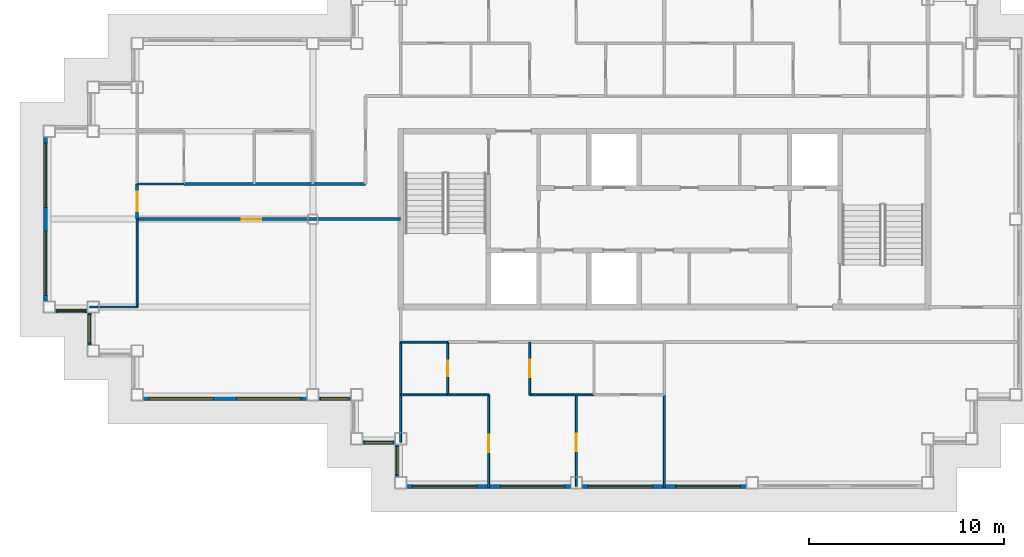
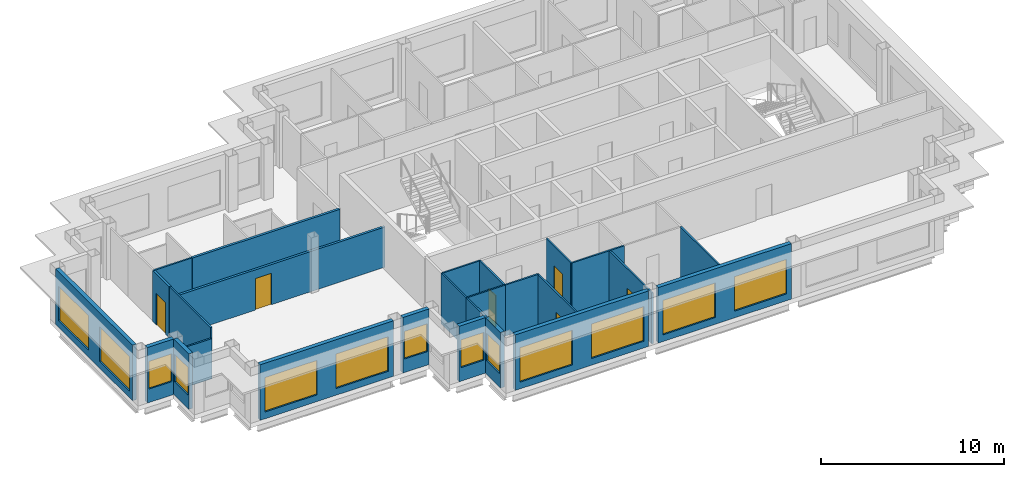
# One storey, part 2 of 12: 26 walls, 13 windows, 6 doors, 19 openings.
"""IFC4 building model written with IfcOpenShell, lengths in metres."""

from ifc_helpers import new_model, si_unit, direction, frame, frame_2d, origin, place, context, subcontext, project, spatial, rectangle, extrude, material, layer, layer_set, type_object, element, fill, save


model = new_model("IFC4")

# Units and contexts
model_context = context("Model", 3, precision=1e-05, world=origin(), true_north=direction((0.0, 1.0)))
body_context = subcontext(model_context, "Body", "Model", "MODEL_VIEW")
ifc_project = project(units=[si_unit("LENGTHUNIT", "METRE"), si_unit("AREAUNIT", "SQUARE_METRE"), si_unit("VOLUMEUNIT", "CUBIC_METRE"), si_unit("PLANEANGLEUNIT", "RADIAN"), si_unit("MASSUNIT", "GRAM", prefix="KILO")], contexts=[model_context])

# Site, building, storey
site_placement = place(None, origin())
site = spatial("IfcSite", under=ifc_project, at=site_placement, CompositionType="ELEMENT")
building_placement = place(site_placement, origin())
building = spatial("IfcBuilding", under=site, at=building_placement, Name="Caravel Reach Hotel and Residences", CompositionType="ELEMENT")
storey_placement = place(building_placement, frame((0.0, 0.0, 241.60009765625)))
storey = spatial("IfcBuildingStorey", under=building, at=storey_placement, Name="L61", CompositionType="ELEMENT", Elevation=241.60009765625)

# Walls
ifc_material_1 = material(Name="Gypsum board on steel stud", Category="steel")
ifc_layer_1 = layer(ifc_material_1, 0.10009765625)
ifc_layer_set_1 = layer_set([ifc_layer_1], Name="Bathroom pod wall 100 mm")
wall_type_1 = type_object("IfcWallType", Name="Bathroom pod wall 100 mm", PredefinedType="PARTITIONING", material=ifc_layer_set_1)
for number, where, z_axis, x_axis, name in (
    (1, (18.0, 18.0, 0.0), (0.0, 0.0, 1.0), (1.0, 0.0, 0.0), "L61 wall w051"),
    (2, (18.0, 20.699951171875, 0.0), (0.0, 0.0, 1.0), (1.0, 0.0, 0.0), "L61 wall w053"),
    (3, (4.5, 28.800048828125, 0.0), (0.0, 0.0, 1.0), (1.0, 0.0, 0.0), "L61 wall w055"),
):
    element("IfcWall", number, at=place(storey_placement, frame(where, z_axis=z_axis, x_axis=x_axis)), inside=storey, type_object=wall_type_1, Name=name, PredefinedType="PARTITIONING", context=body_context, shape_type="SweptSolid", body=[
        extrude(rectangle(XDim=2.39990234375, YDim=0.10009765625, at=frame_2d((1.199951171875, 0.0))), origin(), (0.0, 0.0, 1.0), 3.39990234375),
    ])
wall_1_placement = place(storey_placement, frame((18.0, 18.0, 0.0), z_axis=(0.0, 0.0, 1.0), x_axis=(0.0, 1.0, 0.0)))
element("IfcWall", 4, at=wall_1_placement, inside=storey, type_object=wall_type_1, Name="L61 wall w067", PredefinedType="PARTITIONING", context=body_context, shape_type="SweptSolid", body=[
    extrude(rectangle(XDim=2.699951171875, YDim=0.10009765625, at=frame_2d((1.35009765625, 0.0))), origin(), (0.0, 0.0, 1.0), 3.39990234375),
])

# Wall, opening, door
wall_2_placement = place(storey_placement, frame((20.39990234375, 18.0, 0.0), z_axis=(0.0, 0.0, 1.0), x_axis=(0.0, 1.0, 0.0)))
wall_2 = element("IfcWall", 5, at=wall_2_placement, inside=storey, type_object=wall_type_1, Name="L61 wall w068", PredefinedType="PARTITIONING", context=body_context, shape_type="SweptSolid", body=[
    extrude(rectangle(XDim=2.699951171875, YDim=0.10009765625, at=frame_2d((1.35009765625, 0.0))), origin(), (0.0, 0.0, 1.0), 3.39990234375),
])
opening_1_placement = place(wall_2_placement, frame((0.949951171875, 0.0, 0.0)))
opening_1 = element("IfcOpeningElement", 6, at=opening_1_placement, cuts=wall_2, Name="Opening D61-034", PredefinedType="OPENING", context=body_context, shape_type="SweptSolid", body=[
    extrude(rectangle(XDim=0.800048828125, YDim=2.10009765625, at=frame_2d((0.39990234375, 1.050048828125))), frame((0.0, 0.06005859375, 0.0), z_axis=(0.0, -1.0, 0.0), x_axis=(1.0, 0.0, 0.0)), (0.0, 0.0, 1.0), 0.1201171875),
])
ifc_material_2 = material(Name="Timber and steel door leaf", Category="steel")
door_type_1 = type_object("IfcDoorType", Name="Bathroom door 800 x 2100", OperationType="SINGLE_SWING_LEFT", PredefinedType="DOOR", material=ifc_material_2)
door_1_placement = place(opening_1_placement, origin())
door_1 = element("IfcDoor", 7, at=door_1_placement, inside=storey, type_object=door_type_1, Name="door D61-034", OperationType="SINGLE_SWING_RIGHT", OverallHeight=2.10009765625, OverallWidth=0.800048828125, PredefinedType="DOOR", context=body_context, shape_type="SweptSolid", body=[
    extrude(rectangle(XDim=0.800048828125, YDim=2.10009765625, at=frame_2d((0.39990234375, 1.050048828125))), frame((0.0, 0.02490234375, 0.0), z_axis=(0.0, -1.0, 0.0), x_axis=(1.0, 0.0, 0.0)), (0.0, 0.0, 1.0), 0.050048828125),
])
fill(opening_1, door_1)

ifc_material_3 = material(Name="Gypsum board on steel stud, fire-rated", Category="steel")
ifc_layer_2 = layer(ifc_material_3, 0.14990234375)
ifc_layer_set_2 = layer_set([ifc_layer_2], Name="Corridor wall 150 mm EI 60")
wall_type_2 = type_object("IfcWallType", Name="Corridor wall 150 mm EI 60", PredefinedType="PARTITIONING", material=ifc_layer_set_2)
wall_3_placement = place(storey_placement, frame((4.5, 27.0, 0.0), z_axis=(0.0, 0.0, 1.0), x_axis=(1.0, 0.0, 0.0)))
wall_3 = element("IfcWall", 8, at=wall_3_placement, inside=storey, type_object=wall_type_2, Name="L61 wall w006", PredefinedType="PARTITIONING", context=body_context, shape_type="SweptSolid", body=[
    extrude(rectangle(XDim=13.5, YDim=0.14990234375, at=frame_2d((6.75, 0.0))), origin(), (0.0, 0.0, 1.0), 2.679931640625),
])
opening_2_placement = place(wall_3_placement, frame((5.35009765625, 0.0, 0.0)))
opening_2 = element("IfcOpeningElement", 9, at=opening_2_placement, cuts=wall_3, Name="Opening D61-032", PredefinedType="OPENING", context=body_context, shape_type="SweptSolid", body=[
    extrude(rectangle(XDim=1.0, YDim=2.10009765625, at=frame_2d((0.5, 1.050048828125))), frame((0.0, 0.0849609375, 0.0), z_axis=(0.0, -1.0, 0.0), x_axis=(1.0, 0.0, 0.0)), (0.0, 0.0, 1.0), 0.169921875),
])
ifc_material_4 = material(Name="Steel fire door leaf", Category="steel")
door_type_2 = type_object("IfcDoorType", Name="Fire door 1000 x 2100 EI 60", OperationType="SINGLE_SWING_LEFT", PredefinedType="DOOR", material=ifc_material_4)
door_2_placement = place(opening_2_placement, origin())
door_2 = element("IfcDoor", 10, at=door_2_placement, inside=storey, type_object=door_type_2, Name="door D61-032", OperationType="SINGLE_SWING_LEFT", OverallHeight=2.10009765625, OverallWidth=1.0, PredefinedType="DOOR", context=body_context, shape_type="SweptSolid", body=[
    extrude(rectangle(XDim=1.0, YDim=2.10009765625, at=frame_2d((0.5, 1.050048828125))), frame((0.0, 0.02490234375, 0.0), z_axis=(0.0, -1.0, 0.0), x_axis=(1.0, 0.0, 0.0)), (0.0, 0.0, 1.0), 0.050048828125),
])
fill(opening_2, door_2)

# Wall
wall_4_placement = place(storey_placement, frame((6.89990234375, 28.800048828125, 0.0), z_axis=(0.0, 0.0, 1.0), x_axis=(1.0, 0.0, 0.0)))
element("IfcWall", 11, at=wall_4_placement, inside=storey, type_object=wall_type_2, Name="L61 wall w007", PredefinedType="PARTITIONING", context=body_context, shape_type="SweptSolid", body=[
    extrude(rectangle(XDim=9.299072265625, YDim=0.14990234375, at=frame_2d((4.6494140625, 0.0))), origin(), (0.0, 0.0, 1.0), 3.39990234375),
])

# Wall, opening, door
wall_5_placement = place(storey_placement, frame((4.5, 27.0, 0.0), z_axis=(0.0, 0.0, 1.0), x_axis=(0.0, 1.0, 0.0)))
wall_5 = element("IfcWall", 12, at=wall_5_placement, inside=storey, type_object=wall_type_2, Name="L61 wall w017", PredefinedType="PARTITIONING", context=body_context, shape_type="SweptSolid", body=[
    extrude(rectangle(XDim=1.800048828125, YDim=0.14990234375, at=frame_2d((0.89990234375, 0.0))), origin(), (0.0, 0.0, 1.0), 3.39990234375),
])
opening_3_placement = place(wall_5_placement, frame((0.39990234375, 0.0, 0.0)))
opening_3 = element("IfcOpeningElement", 13, at=opening_3_placement, cuts=wall_5, Name="Opening D61-040", PredefinedType="OPENING", context=body_context, shape_type="SweptSolid", body=[
    extrude(rectangle(XDim=1.0, YDim=2.10009765625, at=frame_2d((0.5, 1.050048828125))), frame((0.0, 0.0849609375, 0.0), z_axis=(0.0, -1.0, 0.0), x_axis=(1.0, 0.0, 0.0)), (0.0, 0.0, 1.0), 0.169921875),
])
door_3_placement = place(opening_3_placement, origin())
door_3 = element("IfcDoor", 14, at=door_3_placement, inside=storey, type_object=door_type_2, Name="door D61-040", OperationType="SINGLE_SWING_LEFT", OverallHeight=2.10009765625, OverallWidth=1.0, PredefinedType="DOOR", context=body_context, shape_type="SweptSolid", body=[
    extrude(rectangle(XDim=1.0, YDim=2.10009765625, at=frame_2d((0.5, 1.050048828125))), frame((0.0, 0.02490234375, 0.0), z_axis=(0.0, -1.0, 0.0), x_axis=(1.0, 0.0, 0.0)), (0.0, 0.0, 1.0), 0.050048828125),
])
fill(opening_3, door_3)

# Wall, opening, window
ifc_material_5 = material(Name="Insulated rainscreen wall, aluminium cladding", Category="aluminium")
ifc_layer_3 = layer(ifc_material_5, 0.25)
ifc_layer_set_3 = layer_set([ifc_layer_3], Name="EW1 Tower rainscreen wall")
wall_type_3 = type_object("IfcWallType", Name="EW1 Tower rainscreen wall", PredefinedType="SOLIDWALL", material=ifc_layer_set_3)
wall_6_placement = place(storey_placement, frame((16.050048828125, 15.574951171875, 0.0), z_axis=(0.0, 0.0, 1.0), x_axis=(1.0, 0.0, 0.0)))
wall_6 = element("IfcWall", 15, at=wall_6_placement, inside=storey, type_object=wall_type_3, Name="External wall L61 S2.1", PredefinedType="SOLIDWALL", context=body_context, shape_type="SweptSolid", body=[
    extrude(rectangle(XDim=1.64990234375, YDim=0.25, at=frame_2d((0.824951171875, 0.0))), origin(), (0.0, 0.0, 1.0), 3.699951171875),
])
opening_4_placement = place(wall_6_placement, frame((0.10009765625, 0.0, 0.89990234375)))
opening_4 = element("IfcOpeningElement", 16, at=opening_4_placement, cuts=wall_6, Name="Opening WN25", PredefinedType="OPENING", context=body_context, shape_type="SweptSolid", body=[
    extrude(rectangle(XDim=1.449951171875, YDim=1.85009765625, at=frame_2d((0.72509765625, 0.925048828125))), frame((0.0, 0.135009765625, 0.0), z_axis=(0.0, -1.0, 0.0), x_axis=(1.0, 0.0, 0.0)), (0.0, 0.0, 1.0), 0.27001953125),
])
ifc_material_6 = material(Name="Dark low-e glazing in black aluminium frame", Category="aluminium")
window_type_1 = type_object("IfcWindowType", Name="Residence bedroom window 1450 x 1850", PartitioningType="SINGLE_PANEL", PredefinedType="WINDOW", material=ifc_material_6)
window_1_placement = place(opening_4_placement, origin())
window_1 = element("IfcWindow", 17, at=window_1_placement, inside=storey, type_object=window_type_1, Name="Window L61 S2.1.1", OverallHeight=1.85009765625, OverallWidth=1.449951171875, PartitioningType="SINGLE_PANEL", PredefinedType="WINDOW", context=body_context, shape_type="SweptSolid", body=[
    extrude(rectangle(XDim=1.449951171875, YDim=1.85009765625, at=frame_2d((0.72509765625, 0.925048828125))), frame((0.0, 0.030029296875, 0.0), z_axis=(0.0, -1.0, 0.0), x_axis=(1.0, 0.0, 0.0)), (0.0, 0.0, 1.0), 0.06005859375),
])
fill(opening_4, window_1)

wall_7_placement = place(storey_placement, frame((17.824951171875, 15.449951171875, 0.0), z_axis=(0.0, 0.0, 1.0), x_axis=(0.0, -1.0, 0.0)))
wall_7 = element("IfcWall", 18, at=wall_7_placement, inside=storey, type_object=wall_type_3, Name="External wall L61 W3.1", PredefinedType="SOLIDWALL", context=body_context, shape_type="SweptSolid", body=[
    extrude(rectangle(XDim=1.64990234375, YDim=0.25, at=frame_2d((0.824951171875, 0.0))), origin(), (0.0, 0.0, 1.0), 3.699951171875),
])
opening_5_placement = place(wall_7_placement, frame((0.10009765625, 0.0, 0.89990234375)))
opening_5 = element("IfcOpeningElement", 19, at=opening_5_placement, cuts=wall_7, Name="Opening WN25", PredefinedType="OPENING", context=body_context, shape_type="SweptSolid", body=[
    extrude(rectangle(XDim=1.449951171875, YDim=1.85009765625, at=frame_2d((0.72509765625, 0.925048828125))), frame((0.0, 0.135009765625, 0.0), z_axis=(0.0, -1.0, 0.0), x_axis=(1.0, 0.0, 0.0)), (0.0, 0.0, 1.0), 0.27001953125),
])
window_2_placement = place(opening_5_placement, origin())
window_2 = element("IfcWindow", 20, at=window_2_placement, inside=storey, type_object=window_type_1, Name="Window L61 W3.1.1", OverallHeight=1.85009765625, OverallWidth=1.449951171875, PartitioningType="SINGLE_PANEL", PredefinedType="WINDOW", context=body_context, shape_type="SweptSolid", body=[
    extrude(rectangle(XDim=1.449951171875, YDim=1.85009765625, at=frame_2d((0.72509765625, 0.925048828125))), frame((0.0, 0.030029296875, 0.0), z_axis=(0.0, -1.0, 0.0), x_axis=(1.0, 0.0, 0.0)), (0.0, 0.0, 1.0), 0.06005859375),
])
fill(opening_5, window_2)

# Wall, openings, windows
wall_8_placement = place(storey_placement, frame((18.300048828125, 13.324951171875, 0.0), z_axis=(0.0, 0.0, 1.0), x_axis=(1.0, 0.0, 0.0)))
wall_8 = element("IfcWall", 21, at=wall_8_placement, inside=storey, type_object=wall_type_3, Name="External wall L61 S4.1", PredefinedType="SOLIDWALL", context=body_context, shape_type="SweptSolid", body=[
    extrude(rectangle(XDim=8.39990234375, YDim=0.25, at=frame_2d((4.199951171875, 0.0))), origin(), (0.0, 0.0, 1.0), 3.699951171875),
])
opening_6_placement = place(wall_8_placement, frame((0.300048828125, 0.0, 0.449951171875)))
opening_6 = element("IfcOpeningElement", 22, at=opening_6_placement, cuts=wall_8, Name="Opening WN15", PredefinedType="OPENING", context=body_context, shape_type="SweptSolid", body=[
    extrude(rectangle(XDim=3.300048828125, YDim=2.300048828125, at=frame_2d((1.64990234375, 1.14990234375))), frame((0.0, 0.135009765625, 0.0), z_axis=(0.0, -1.0, 0.0), x_axis=(1.0, 0.0, 0.0)), (0.0, 0.0, 1.0), 0.27001953125),
])
opening_7_placement = place(wall_8_placement, frame((4.800048828125, 0.0, 0.449951171875)))
opening_7 = element("IfcOpeningElement", 23, at=opening_7_placement, cuts=wall_8, Name="Opening WN15", PredefinedType="OPENING", context=body_context, shape_type="SweptSolid", body=[
    extrude(rectangle(XDim=3.300048828125, YDim=2.300048828125, at=frame_2d((1.64990234375, 1.14990234375))), frame((0.0, 0.135009765625, 0.0), z_axis=(0.0, -1.0, 0.0), x_axis=(1.0, 0.0, 0.0)), (0.0, 0.0, 1.0), 0.27001953125),
])
ifc_material_7 = material(Name="Dark low-e glazing in black aluminium frame", Category="aluminium")
window_type_2 = type_object("IfcWindowType", Name="Residence living window 3300 x 2300", PartitioningType="SINGLE_PANEL", PredefinedType="WINDOW", material=ifc_material_7)
window_3_placement = place(opening_6_placement, origin())
window_3 = element("IfcWindow", 24, at=window_3_placement, inside=storey, type_object=window_type_2, Name="Window L61 S4.1.1", OverallHeight=2.300048828125, OverallWidth=3.300048828125, PartitioningType="SINGLE_PANEL", PredefinedType="WINDOW", context=body_context, shape_type="SweptSolid", body=[
    extrude(rectangle(XDim=3.300048828125, YDim=2.300048828125, at=frame_2d((1.64990234375, 1.14990234375))), frame((0.0, 0.030029296875, 0.0), z_axis=(0.0, -1.0, 0.0), x_axis=(1.0, 0.0, 0.0)), (0.0, 0.0, 1.0), 0.06005859375),
])
fill(opening_6, window_3)
window_4_placement = place(opening_7_placement, origin())
window_4 = element("IfcWindow", 25, at=window_4_placement, inside=storey, type_object=window_type_2, Name="Window L61 S4.1.2", OverallHeight=2.300048828125, OverallWidth=3.300048828125, PartitioningType="SINGLE_PANEL", PredefinedType="WINDOW", context=body_context, shape_type="SweptSolid", body=[
    extrude(rectangle(XDim=3.300048828125, YDim=2.300048828125, at=frame_2d((1.64990234375, 1.14990234375))), frame((0.0, 0.030029296875, 0.0), z_axis=(0.0, -1.0, 0.0), x_axis=(1.0, 0.0, 0.0)), (0.0, 0.0, 1.0), 0.06005859375),
])
fill(opening_7, window_4)

wall_9_placement = place(storey_placement, frame((27.300048828125, 13.324951171875, 0.0), z_axis=(0.0, 0.0, 1.0), x_axis=(1.0, 0.0, 0.0)))
wall_9 = element("IfcWall", 26, at=wall_9_placement, inside=storey, type_object=wall_type_3, Name="External wall L61 S4.2", PredefinedType="SOLIDWALL", context=body_context, shape_type="SweptSolid", body=[
    extrude(rectangle(XDim=8.39990234375, YDim=0.25, at=frame_2d((4.199951171875, 0.0))), origin(), (0.0, 0.0, 1.0), 3.699951171875),
])
opening_8_placement = place(wall_9_placement, frame((0.300048828125, 0.0, 0.449951171875)))
opening_8 = element("IfcOpeningElement", 27, at=opening_8_placement, cuts=wall_9, Name="Opening WN15", PredefinedType="OPENING", context=body_context, shape_type="SweptSolid", body=[
    extrude(rectangle(XDim=3.300048828125, YDim=2.300048828125, at=frame_2d((1.64990234375, 1.14990234375))), frame((0.0, 0.135009765625, 0.0), z_axis=(0.0, -1.0, 0.0), x_axis=(1.0, 0.0, 0.0)), (0.0, 0.0, 1.0), 0.27001953125),
])
opening_9_placement = place(wall_9_placement, frame((4.800048828125, 0.0, 0.449951171875)))
opening_9 = element("IfcOpeningElement", 28, at=opening_9_placement, cuts=wall_9, Name="Opening WN15", PredefinedType="OPENING", context=body_context, shape_type="SweptSolid", body=[
    extrude(rectangle(XDim=3.300048828125, YDim=2.300048828125, at=frame_2d((1.64990234375, 1.14990234375))), frame((0.0, 0.135009765625, 0.0), z_axis=(0.0, -1.0, 0.0), x_axis=(1.0, 0.0, 0.0)), (0.0, 0.0, 1.0), 0.27001953125),
])
window_5_placement = place(opening_8_placement, origin())
window_5 = element("IfcWindow", 29, at=window_5_placement, inside=storey, type_object=window_type_2, Name="Window L61 S4.2.1", OverallHeight=2.300048828125, OverallWidth=3.300048828125, PartitioningType="SINGLE_PANEL", PredefinedType="WINDOW", context=body_context, shape_type="SweptSolid", body=[
    extrude(rectangle(XDim=3.300048828125, YDim=2.300048828125, at=frame_2d((1.64990234375, 1.14990234375))), frame((0.0, 0.030029296875, 0.0), z_axis=(0.0, -1.0, 0.0), x_axis=(1.0, 0.0, 0.0)), (0.0, 0.0, 1.0), 0.06005859375),
])
fill(opening_8, window_5)
window_6_placement = place(opening_9_placement, origin())
window_6 = element("IfcWindow", 30, at=window_6_placement, inside=storey, type_object=window_type_2, Name="Window L61 S4.2.2", OverallHeight=2.300048828125, OverallWidth=3.300048828125, PartitioningType="SINGLE_PANEL", PredefinedType="WINDOW", context=body_context, shape_type="SweptSolid", body=[
    extrude(rectangle(XDim=3.300048828125, YDim=2.300048828125, at=frame_2d((1.64990234375, 1.14990234375))), frame((0.0, 0.030029296875, 0.0), z_axis=(0.0, -1.0, 0.0), x_axis=(1.0, 0.0, 0.0)), (0.0, 0.0, 1.0), 0.06005859375),
])
fill(opening_9, window_6)

wall_10_placement = place(storey_placement, frame((-0.175048828125, 31.199951171875, 0.0), z_axis=(0.0, 0.0, 1.0), x_axis=(0.0, -1.0, 0.0)))
wall_10 = element("IfcWall", 31, at=wall_10_placement, inside=storey, type_object=wall_type_3, Name="External wall L61 W23.1", PredefinedType="SOLIDWALL", context=body_context, shape_type="SweptSolid", body=[
    extrude(rectangle(XDim=8.39990234375, YDim=0.25, at=frame_2d((4.199951171875, 0.0))), origin(), (0.0, 0.0, 1.0), 3.699951171875),
])
opening_10_placement = place(wall_10_placement, frame((0.300048828125, 0.0, 0.449951171875)))
opening_10 = element("IfcOpeningElement", 32, at=opening_10_placement, cuts=wall_10, Name="Opening WN15", PredefinedType="OPENING", context=body_context, shape_type="SweptSolid", body=[
    extrude(rectangle(XDim=3.300048828125, YDim=2.300048828125, at=frame_2d((1.64990234375, 1.14990234375))), frame((0.0, 0.135009765625, 0.0), z_axis=(0.0, -1.0, 0.0), x_axis=(1.0, 0.0, 0.0)), (0.0, 0.0, 1.0), 0.27001953125),
])
opening_11_placement = place(wall_10_placement, frame((4.800048828125, 0.0, 0.449951171875)))
opening_11 = element("IfcOpeningElement", 33, at=opening_11_placement, cuts=wall_10, Name="Opening WN15", PredefinedType="OPENING", context=body_context, shape_type="SweptSolid", body=[
    extrude(rectangle(XDim=3.300048828125, YDim=2.300048828125, at=frame_2d((1.64990234375, 1.14990234375))), frame((0.0, 0.135009765625, 0.0), z_axis=(0.0, -1.0, 0.0), x_axis=(1.0, 0.0, 0.0)), (0.0, 0.0, 1.0), 0.27001953125),
])
window_7_placement = place(opening_10_placement, origin())
window_7 = element("IfcWindow", 34, at=window_7_placement, inside=storey, type_object=window_type_2, Name="Window L61 W23.1.1", OverallHeight=2.300048828125, OverallWidth=3.300048828125, PartitioningType="SINGLE_PANEL", PredefinedType="WINDOW", context=body_context, shape_type="SweptSolid", body=[
    extrude(rectangle(XDim=3.300048828125, YDim=2.300048828125, at=frame_2d((1.64990234375, 1.14990234375))), frame((0.0, 0.030029296875, 0.0), z_axis=(0.0, -1.0, 0.0), x_axis=(1.0, 0.0, 0.0)), (0.0, 0.0, 1.0), 0.06005859375),
])
fill(opening_10, window_7)
window_8_placement = place(opening_11_placement, origin())
window_8 = element("IfcWindow", 35, at=window_8_placement, inside=storey, type_object=window_type_2, Name="Window L61 W23.1.2", OverallHeight=2.300048828125, OverallWidth=3.300048828125, PartitioningType="SINGLE_PANEL", PredefinedType="WINDOW", context=body_context, shape_type="SweptSolid", body=[
    extrude(rectangle(XDim=3.300048828125, YDim=2.300048828125, at=frame_2d((1.64990234375, 1.14990234375))), frame((0.0, 0.030029296875, 0.0), z_axis=(0.0, -1.0, 0.0), x_axis=(1.0, 0.0, 0.0)), (0.0, 0.0, 1.0), 0.06005859375),
])
fill(opening_11, window_8)

# Wall, opening, window
wall_11_placement = place(storey_placement, frame((0.300048828125, 22.324951171875, 0.0), z_axis=(0.0, 0.0, 1.0), x_axis=(1.0, 0.0, 0.0)))
wall_11 = element("IfcWall", 36, at=wall_11_placement, inside=storey, type_object=wall_type_3, Name="External wall L61 S24.1", PredefinedType="SOLIDWALL", context=body_context, shape_type="SweptSolid", body=[
    extrude(rectangle(XDim=1.64990234375, YDim=0.25, at=frame_2d((0.824951171875, 0.0))), origin(), (0.0, 0.0, 1.0), 3.699951171875),
])
opening_12_placement = place(wall_11_placement, frame((0.10009765625, 0.0, 0.89990234375)))
opening_12 = element("IfcOpeningElement", 37, at=opening_12_placement, cuts=wall_11, Name="Opening WN25", PredefinedType="OPENING", context=body_context, shape_type="SweptSolid", body=[
    extrude(rectangle(XDim=1.449951171875, YDim=1.85009765625, at=frame_2d((0.72509765625, 0.925048828125))), frame((0.0, 0.135009765625, 0.0), z_axis=(0.0, -1.0, 0.0), x_axis=(1.0, 0.0, 0.0)), (0.0, 0.0, 1.0), 0.27001953125),
])
window_9_placement = place(opening_12_placement, origin())
window_9 = element("IfcWindow", 38, at=window_9_placement, inside=storey, type_object=window_type_1, Name="Window L61 S24.1.1", OverallHeight=1.85009765625, OverallWidth=1.449951171875, PartitioningType="SINGLE_PANEL", PredefinedType="WINDOW", context=body_context, shape_type="SweptSolid", body=[
    extrude(rectangle(XDim=1.449951171875, YDim=1.85009765625, at=frame_2d((0.72509765625, 0.925048828125))), frame((0.0, 0.030029296875, 0.0), z_axis=(0.0, -1.0, 0.0), x_axis=(1.0, 0.0, 0.0)), (0.0, 0.0, 1.0), 0.06005859375),
])
fill(opening_12, window_9)

wall_12_placement = place(storey_placement, frame((2.074951171875, 22.199951171875, 0.0), z_axis=(0.0, 0.0, 1.0), x_axis=(0.0, -1.0, 0.0)))
wall_12 = element("IfcWall", 39, at=wall_12_placement, inside=storey, type_object=wall_type_3, Name="External wall L61 W25.1", PredefinedType="SOLIDWALL", context=body_context, shape_type="SweptSolid", body=[
    extrude(rectangle(XDim=1.64990234375, YDim=0.25, at=frame_2d((0.824951171875, 0.0))), origin(), (0.0, 0.0, 1.0), 3.699951171875),
])
opening_13_placement = place(wall_12_placement, frame((0.10009765625, 0.0, 0.89990234375)))
opening_13 = element("IfcOpeningElement", 40, at=opening_13_placement, cuts=wall_12, Name="Opening WN25", PredefinedType="OPENING", context=body_context, shape_type="SweptSolid", body=[
    extrude(rectangle(XDim=1.449951171875, YDim=1.85009765625, at=frame_2d((0.72509765625, 0.925048828125))), frame((0.0, 0.135009765625, 0.0), z_axis=(0.0, -1.0, 0.0), x_axis=(1.0, 0.0, 0.0)), (0.0, 0.0, 1.0), 0.27001953125),
])
window_10_placement = place(opening_13_placement, origin())
window_10 = element("IfcWindow", 41, at=window_10_placement, inside=storey, type_object=window_type_1, Name="Window L61 W25.1.1", OverallHeight=1.85009765625, OverallWidth=1.449951171875, PartitioningType="SINGLE_PANEL", PredefinedType="WINDOW", context=body_context, shape_type="SweptSolid", body=[
    extrude(rectangle(XDim=1.449951171875, YDim=1.85009765625, at=frame_2d((0.72509765625, 0.925048828125))), frame((0.0, 0.030029296875, 0.0), z_axis=(0.0, -1.0, 0.0), x_axis=(1.0, 0.0, 0.0)), (0.0, 0.0, 1.0), 0.06005859375),
])
fill(opening_13, window_10)

# Wall, openings, windows
wall_13_placement = place(storey_placement, frame((4.800048828125, 17.824951171875, 0.0), z_axis=(0.0, 0.0, 1.0), x_axis=(1.0, 0.0, 0.0)))
wall_13 = element("IfcWall", 42, at=wall_13_placement, inside=storey, type_object=wall_type_3, Name="External wall L61 S28.1", PredefinedType="SOLIDWALL", context=body_context, shape_type="SweptSolid", body=[
    extrude(rectangle(XDim=8.39990234375, YDim=0.25, at=frame_2d((4.199951171875, 0.0))), origin(), (0.0, 0.0, 1.0), 3.699951171875),
])
opening_14_placement = place(wall_13_placement, frame((0.300048828125, 0.0, 0.449951171875)))
opening_14 = element("IfcOpeningElement", 43, at=opening_14_placement, cuts=wall_13, Name="Opening WN15", PredefinedType="OPENING", context=body_context, shape_type="SweptSolid", body=[
    extrude(rectangle(XDim=3.300048828125, YDim=2.300048828125, at=frame_2d((1.64990234375, 1.14990234375))), frame((0.0, 0.135009765625, 0.0), z_axis=(0.0, -1.0, 0.0), x_axis=(1.0, 0.0, 0.0)), (0.0, 0.0, 1.0), 0.27001953125),
])
opening_15_placement = place(wall_13_placement, frame((4.800048828125, 0.0, 0.449951171875)))
opening_15 = element("IfcOpeningElement", 44, at=opening_15_placement, cuts=wall_13, Name="Opening WN15", PredefinedType="OPENING", context=body_context, shape_type="SweptSolid", body=[
    extrude(rectangle(XDim=3.300048828125, YDim=2.300048828125, at=frame_2d((1.64990234375, 1.14990234375))), frame((0.0, 0.135009765625, 0.0), z_axis=(0.0, -1.0, 0.0), x_axis=(1.0, 0.0, 0.0)), (0.0, 0.0, 1.0), 0.27001953125),
])
window_11_placement = place(opening_14_placement, origin())
window_11 = element("IfcWindow", 45, at=window_11_placement, inside=storey, type_object=window_type_2, Name="Window L61 S28.1.1", OverallHeight=2.300048828125, OverallWidth=3.300048828125, PartitioningType="SINGLE_PANEL", PredefinedType="WINDOW", context=body_context, shape_type="SweptSolid", body=[
    extrude(rectangle(XDim=3.300048828125, YDim=2.300048828125, at=frame_2d((1.64990234375, 1.14990234375))), frame((0.0, 0.030029296875, 0.0), z_axis=(0.0, -1.0, 0.0), x_axis=(1.0, 0.0, 0.0)), (0.0, 0.0, 1.0), 0.06005859375),
])
fill(opening_14, window_11)
window_12_placement = place(opening_15_placement, origin())
window_12 = element("IfcWindow", 46, at=window_12_placement, inside=storey, type_object=window_type_2, Name="Window L61 S28.1.2", OverallHeight=2.300048828125, OverallWidth=3.300048828125, PartitioningType="SINGLE_PANEL", PredefinedType="WINDOW", context=body_context, shape_type="SweptSolid", body=[
    extrude(rectangle(XDim=3.300048828125, YDim=2.300048828125, at=frame_2d((1.64990234375, 1.14990234375))), frame((0.0, 0.030029296875, 0.0), z_axis=(0.0, -1.0, 0.0), x_axis=(1.0, 0.0, 0.0)), (0.0, 0.0, 1.0), 0.06005859375),
])
fill(opening_15, window_12)

# Wall, opening, window
wall_14_placement = place(storey_placement, frame((13.800048828125, 17.824951171875, 0.0), z_axis=(0.0, 0.0, 1.0), x_axis=(1.0, 0.0, 0.0)))
wall_14 = element("IfcWall", 47, at=wall_14_placement, inside=storey, type_object=wall_type_3, Name="External wall L61 S28.2", PredefinedType="SOLIDWALL", context=body_context, shape_type="SweptSolid", body=[
    extrude(rectangle(XDim=1.64990234375, YDim=0.25, at=frame_2d((0.824951171875, 0.0))), origin(), (0.0, 0.0, 1.0), 3.699951171875),
])
opening_16_placement = place(wall_14_placement, frame((0.10009765625, 0.0, 0.89990234375)))
opening_16 = element("IfcOpeningElement", 48, at=opening_16_placement, cuts=wall_14, Name="Opening WN25", PredefinedType="OPENING", context=body_context, shape_type="SweptSolid", body=[
    extrude(rectangle(XDim=1.449951171875, YDim=1.85009765625, at=frame_2d((0.72509765625, 0.925048828125))), frame((0.0, 0.135009765625, 0.0), z_axis=(0.0, -1.0, 0.0), x_axis=(1.0, 0.0, 0.0)), (0.0, 0.0, 1.0), 0.27001953125),
])
window_13_placement = place(opening_16_placement, origin())
window_13 = element("IfcWindow", 49, at=window_13_placement, inside=storey, type_object=window_type_1, Name="Window L61 S28.2.1", OverallHeight=1.85009765625, OverallWidth=1.449951171875, PartitioningType="SINGLE_PANEL", PredefinedType="WINDOW", context=body_context, shape_type="SweptSolid", body=[
    extrude(rectangle(XDim=1.449951171875, YDim=1.85009765625, at=frame_2d((0.72509765625, 0.925048828125))), frame((0.0, 0.030029296875, 0.0), z_axis=(0.0, -1.0, 0.0), x_axis=(1.0, 0.0, 0.0)), (0.0, 0.0, 1.0), 0.06005859375),
])
fill(opening_16, window_13)

# Walls
ifc_material_8 = material(Name="Gypsum board on steel stud", Category="steel")
ifc_layer_4 = layer(ifc_material_8, 0.10009765625)
ifc_layer_set_4 = layer_set([ifc_layer_4], Name="Partition 100 mm")
wall_type_4 = type_object("IfcWallType", Name="Partition 100 mm", PredefinedType="PARTITIONING", material=ifc_layer_set_4)
wall_15_placement = place(storey_placement, frame((20.39990234375, 18.0, 0.0), z_axis=(0.0, 0.0, 1.0), x_axis=(1.0, 0.0, 0.0)))
element("IfcWall", 50, at=wall_15_placement, inside=storey, type_object=wall_type_4, Name="L61 wall w019", PredefinedType="PARTITIONING", context=body_context, shape_type="SweptSolid", body=[
    extrude(rectangle(XDim=2.10009765625, YDim=0.10009765625, at=frame_2d((1.050048828125, 0.0))), origin(), (0.0, 0.0, 1.0), 3.39990234375),
])
wall_16_placement = place(storey_placement, frame((24.60009765625, 18.0, 0.0), z_axis=(0.0, 0.0, 1.0), x_axis=(1.0, 0.0, 0.0)))
element("IfcWall", 51, at=wall_16_placement, inside=storey, type_object=wall_type_4, Name="L61 wall w021", PredefinedType="PARTITIONING", context=body_context, shape_type="SweptSolid", body=[
    extrude(rectangle(XDim=3.2998046875, YDim=0.10009765625, at=frame_2d((1.64990234375, 0.0))), origin(), (0.0, 0.0, 1.0), 3.39990234375),
])
wall_17_placement = place(storey_placement, frame((2.06005859375, 22.5, 0.0), z_axis=(0.0, 0.0, 1.0), x_axis=(1.0, 0.0, 0.0)))
element("IfcWall", 52, at=wall_17_placement, inside=storey, type_object=wall_type_4, Name="L61 wall w022", PredefinedType="PARTITIONING", context=body_context, shape_type="SweptSolid", body=[
    extrude(rectangle(XDim=2.43896484375, YDim=0.10009765625, at=frame_2d((1.219482421875, 0.0))), origin(), (0.0, 0.0, 1.0), 2.679931640625),
])
wall_18_placement = place(storey_placement, frame((18.0, 15.56005859375, 0.0), z_axis=(0.0, 0.0, 1.0), x_axis=(0.0, 1.0, 0.0)))
element("IfcWall", 53, at=wall_18_placement, inside=storey, type_object=wall_type_4, Name="L61 wall w034", PredefinedType="PARTITIONING", context=body_context, shape_type="SweptSolid", body=[
    extrude(rectangle(XDim=2.43896484375, YDim=0.10009765625, at=frame_2d((1.219482421875, 0.0))), origin(), (0.0, 0.0, 1.0), 3.39990234375),
])

# Wall, opening, door
wall_19_placement = place(storey_placement, frame((22.5, 13.260009765625, 0.0), z_axis=(0.0, 0.0, 1.0), x_axis=(0.0, 1.0, 0.0)))
wall_19 = element("IfcWall", 54, at=wall_19_placement, inside=storey, type_object=wall_type_4, Name="L61 wall w036", PredefinedType="PARTITIONING", context=body_context, shape_type="SweptSolid", body=[
    extrude(rectangle(XDim=4.739990234375, YDim=0.10009765625, at=frame_2d((2.3701171875, 0.0))), origin(), (0.0, 0.0, 1.0), 3.39990234375),
])
opening_17_placement = place(wall_19_placement, frame((1.800048828125, 0.0, 0.0)))
opening_17 = element("IfcOpeningElement", 55, at=opening_17_placement, cuts=wall_19, Name="Opening D61-037", PredefinedType="OPENING", context=body_context, shape_type="SweptSolid", body=[
    extrude(rectangle(XDim=0.89990234375, YDim=2.10009765625, at=frame_2d((0.449951171875, 1.050048828125))), frame((0.0, 0.06005859375, 0.0), z_axis=(0.0, -1.0, 0.0), x_axis=(1.0, 0.0, 0.0)), (0.0, 0.0, 1.0), 0.1201171875),
])
ifc_material_9 = material(Name="Timber and steel door leaf", Category="steel")
door_type_3 = type_object("IfcDoorType", Name="Door 900 x 2100 timber", OperationType="SINGLE_SWING_LEFT", PredefinedType="DOOR", material=ifc_material_9)
door_4_placement = place(opening_17_placement, origin())
door_4 = element("IfcDoor", 56, at=door_4_placement, inside=storey, type_object=door_type_3, Name="door D61-037", OperationType="SINGLE_SWING_LEFT", OverallHeight=2.10009765625, OverallWidth=0.89990234375, PredefinedType="DOOR", context=body_context, shape_type="SweptSolid", body=[
    extrude(rectangle(XDim=0.89990234375, YDim=2.10009765625, at=frame_2d((0.449951171875, 1.050048828125))), frame((0.0, 0.02490234375, 0.0), z_axis=(0.0, -1.0, 0.0), x_axis=(1.0, 0.0, 0.0)), (0.0, 0.0, 1.0), 0.050048828125),
])
fill(opening_17, door_4)

wall_20_placement = place(storey_placement, frame((24.60009765625, 18.0, 0.0), z_axis=(0.0, 0.0, 1.0), x_axis=(0.0, 1.0, 0.0)))
wall_20 = element("IfcWall", 57, at=wall_20_placement, inside=storey, type_object=wall_type_4, Name="L61 wall w038", PredefinedType="PARTITIONING", context=body_context, shape_type="SweptSolid", body=[
    extrude(rectangle(XDim=2.699951171875, YDim=0.10009765625, at=frame_2d((1.35009765625, 0.0))), origin(), (0.0, 0.0, 1.0), 3.39990234375),
])
opening_18_placement = place(wall_20_placement, frame((0.89990234375, 0.0, 0.0)))
opening_18 = element("IfcOpeningElement", 58, at=opening_18_placement, cuts=wall_20, Name="Opening D61-035", PredefinedType="OPENING", context=body_context, shape_type="SweptSolid", body=[
    extrude(rectangle(XDim=0.89990234375, YDim=2.10009765625, at=frame_2d((0.449951171875, 1.050048828125))), frame((0.0, 0.06005859375, 0.0), z_axis=(0.0, -1.0, 0.0), x_axis=(1.0, 0.0, 0.0)), (0.0, 0.0, 1.0), 0.1201171875),
])
door_5_placement = place(opening_18_placement, origin())
door_5 = element("IfcDoor", 59, at=door_5_placement, inside=storey, type_object=door_type_3, Name="door D61-035", OperationType="SINGLE_SWING_RIGHT", OverallHeight=2.10009765625, OverallWidth=0.89990234375, PredefinedType="DOOR", context=body_context, shape_type="SweptSolid", body=[
    extrude(rectangle(XDim=0.89990234375, YDim=2.10009765625, at=frame_2d((0.449951171875, 1.050048828125))), frame((0.0, 0.02490234375, 0.0), z_axis=(0.0, -1.0, 0.0), x_axis=(1.0, 0.0, 0.0)), (0.0, 0.0, 1.0), 0.050048828125),
])
fill(opening_18, door_5)

wall_21_placement = place(storey_placement, frame((27.0, 13.31005859375, 0.0), z_axis=(0.0, 0.0, 1.0), x_axis=(0.0, 1.0, 0.0)))
wall_21 = element("IfcWall", 60, at=wall_21_placement, inside=storey, type_object=wall_type_4, Name="L61 wall w040", PredefinedType="PARTITIONING", context=body_context, shape_type="SweptSolid", body=[
    extrude(rectangle(XDim=4.68994140625, YDim=0.10009765625, at=frame_2d((2.344970703125, 0.0))), origin(), (0.0, 0.0, 1.0), 3.39990234375),
])
opening_19_placement = place(wall_21_placement, frame((1.800048828125, 0.0, 0.0)))
opening_19 = element("IfcOpeningElement", 61, at=opening_19_placement, cuts=wall_21, Name="Opening D61-038", PredefinedType="OPENING", context=body_context, shape_type="SweptSolid", body=[
    extrude(rectangle(XDim=0.89990234375, YDim=2.10009765625, at=frame_2d((0.449951171875, 1.050048828125))), frame((0.0, 0.06005859375, 0.0), z_axis=(0.0, -1.0, 0.0), x_axis=(1.0, 0.0, 0.0)), (0.0, 0.0, 1.0), 0.1201171875),
])
door_6_placement = place(opening_19_placement, origin())
door_6 = element("IfcDoor", 62, at=door_6_placement, inside=storey, type_object=door_type_3, Name="door D61-038", OperationType="SINGLE_SWING_RIGHT", OverallHeight=2.10009765625, OverallWidth=0.89990234375, PredefinedType="DOOR", context=body_context, shape_type="SweptSolid", body=[
    extrude(rectangle(XDim=0.89990234375, YDim=2.10009765625, at=frame_2d((0.449951171875, 1.050048828125))), frame((0.0, 0.02490234375, 0.0), z_axis=(0.0, -1.0, 0.0), x_axis=(1.0, 0.0, 0.0)), (0.0, 0.0, 1.0), 0.050048828125),
])
fill(opening_19, door_6)

# Walls
wall_22_placement = place(storey_placement, frame((31.5, 13.260009765625, 0.0), z_axis=(0.0, 0.0, 1.0), x_axis=(0.0, 1.0, 0.0)))
element("IfcWall", 63, at=wall_22_placement, inside=storey, type_object=wall_type_4, Name="L61 wall w041", PredefinedType="PARTITIONING", context=body_context, shape_type="SweptSolid", body=[
    extrude(rectangle(XDim=4.739990234375, YDim=0.10009765625, at=frame_2d((2.3701171875, 0.0))), origin(), (0.0, 0.0, 1.0), 3.39990234375),
])
wall_23_placement = place(storey_placement, frame((4.5, 22.5, 0.0), z_axis=(0.0, 0.0, 1.0), x_axis=(0.0, 1.0, 0.0)))
element("IfcWall", 64, at=wall_23_placement, inside=storey, type_object=wall_type_4, Name="L61 wall w045", PredefinedType="PARTITIONING", context=body_context, shape_type="SweptSolid", body=[
    extrude(rectangle(XDim=4.5, YDim=0.10009765625, at=frame_2d((2.25, 0.0))), origin(), (0.0, 0.0, 1.0), 3.39990234375),
])

save(model, "model.ifc")
